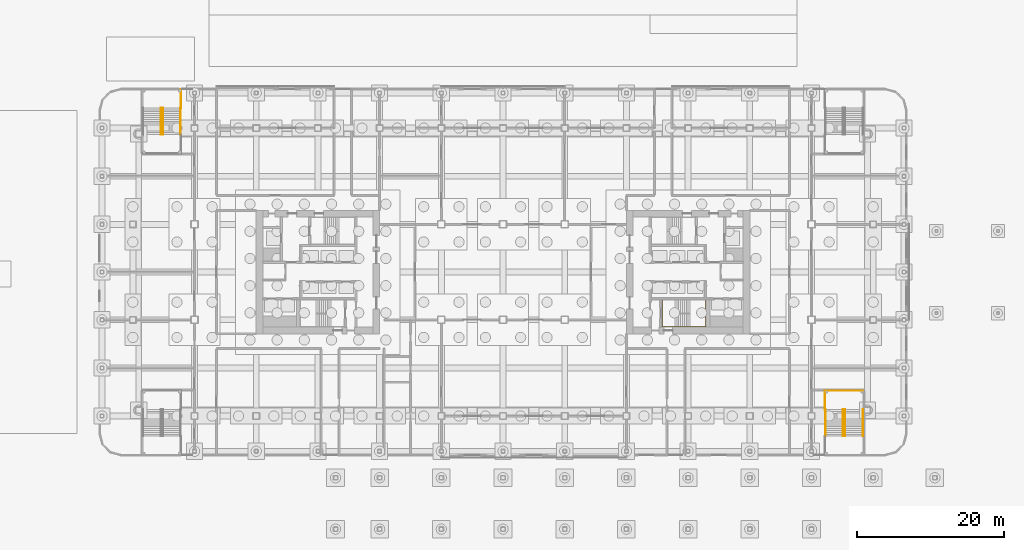
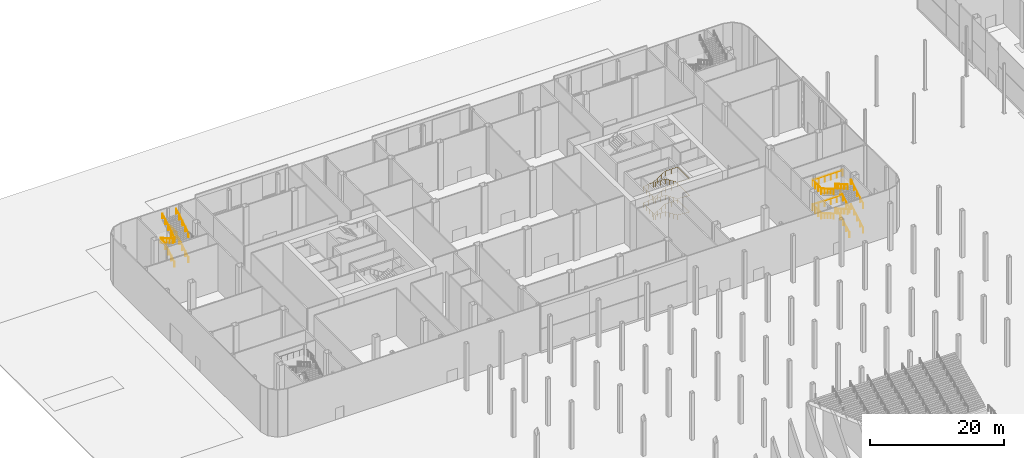
# One storey, part 110 of 113: 19 railings.
"""IFC4 building model written with IfcOpenShell, lengths in metres."""

from ifc_helpers import new_model, si_unit, direction, frame, origin, origin_2d, place, context, subcontext, project, spatial, circle, extrude, material, type_object, element, save


model = new_model("IFC4")

# Units and contexts
model_context = context("Model", 3, precision=1e-05, world=origin(), true_north=direction((0.0, 1.0)))
body_context = subcontext(model_context, "Body", "Model", "MODEL_VIEW")
ifc_project = project(units=[si_unit("LENGTHUNIT", "METRE"), si_unit("AREAUNIT", "SQUARE_METRE"), si_unit("VOLUMEUNIT", "CUBIC_METRE"), si_unit("PLANEANGLEUNIT", "RADIAN"), si_unit("MASSUNIT", "GRAM", prefix="KILO")], contexts=[model_context])

# Site, building, storey
site_placement = place(None, origin())
site = spatial("IfcSite", under=ifc_project, at=site_placement, CompositionType="ELEMENT")
building_placement = place(site_placement, origin())
building = spatial("IfcBuilding", under=site, at=building_placement, Name="Hakoniwa Tower and Hamabe Station Hall", CompositionType="ELEMENT")
storey_placement = place(building_placement, origin())
storey = spatial("IfcBuildingStorey", under=building, at=storey_placement, Name="L01", CompositionType="ELEMENT", Elevation=0.0)

# Railings
ifc_material_1 = material(Name="Stainless steel and glass", Category="steel")
railing_type_1 = type_object("IfcRailingType", Name="GUARD 1100", PredefinedType="GUARDRAIL", material=ifc_material_1)
railing_1_placement = place(storey_placement, frame((-43.85009765625, 24.85009765625, 4.5)))
element("IfcRailing", 1, at=railing_1_placement, inside=storey, type_object=railing_type_1, Name="Guard at landing PS1 3", PredefinedType="GUARDRAIL", context=body_context, shape_type="SweptSolid", body=[
    extrude(circle(Radius=0.02392578125, at=origin_2d()), frame((0.0, 0.0, 1.076171875), z_axis=(0.0, -1.0, 0.0), x_axis=(1.0, 0.0, 0.0)), (0.0, 0.0, 1.0), 2.5),
    extrude(circle(Radius=0.02099609375, at=origin_2d()), origin(), (0.0, 0.0, 1.0), 1.052001953125),
    extrude(circle(Radius=0.02099609375, at=origin_2d()), frame((0.0, -0.833251953125, 0.0)), (0.0, 0.0, 1.0), 1.052001953125),
    extrude(circle(Radius=0.02099609375, at=origin_2d()), frame((0.0, -1.666748046875, 0.0)), (0.0, 0.0, 1.0), 1.052001953125),
    extrude(circle(Radius=0.02099609375, at=origin_2d()), frame((0.0, -2.5, 0.0)), (0.0, 0.0, 1.0), 1.052001953125),
])
railing_2_placement = place(storey_placement, frame((43.85009765625, -18.7099609375, 2.25)))
element("IfcRailing", 2, at=railing_2_placement, inside=storey, type_object=railing_type_1, Name="Guard at landing PS3 1", PredefinedType="GUARDRAIL", context=body_context, shape_type="SweptSolid", body=[
    extrude(circle(Radius=0.02392578125, at=origin_2d()), frame((0.0, 0.0, 1.076171875), z_axis=(0.0, 1.0, 0.0), x_axis=(-1.0, 0.0, 0.0)), (0.0, 0.0, 1.0), 2.56005859375),
    extrude(circle(Radius=0.02099609375, at=origin_2d()), origin(), (0.0, 0.0, 1.0), 1.052001953125),
    extrude(circle(Radius=0.02099609375, at=origin_2d()), frame((0.0, 0.853271484375, 0.0)), (0.0, 0.0, 1.0), 1.052001953125),
    extrude(circle(Radius=0.02099609375, at=origin_2d()), frame((0.0, 1.706787109375, 0.0)), (0.0, 0.0, 1.0), 1.052001953125),
    extrude(circle(Radius=0.02099609375, at=origin_2d()), frame((0.0, 2.56005859375, 0.0)), (0.0, 0.0, 1.0), 1.052001953125),
])
railing_3_placement = place(storey_placement, frame((49.050048828125, -16.14990234375, 2.25)))
element("IfcRailing", 3, at=railing_3_placement, inside=storey, type_object=railing_type_1, Name="Guard at landing PS3 2", PredefinedType="GUARDRAIL", context=body_context, shape_type="SweptSolid", body=[
    extrude(circle(Radius=0.02392578125, at=origin_2d()), frame((0.0, 0.0, 1.076171875), z_axis=(-1.0, 0.0, 0.0), x_axis=(0.0, -1.0, 0.0)), (0.0, 0.0, 1.0), 5.199951171875),
    extrude(circle(Radius=0.02099609375, at=origin_2d()), origin(), (0.0, 0.0, 1.0), 1.052001953125),
    extrude(circle(Radius=0.02099609375, at=origin_2d()), frame((-1.0400390625, 0.0, 0.0)), (0.0, 0.0, 1.0), 1.052001953125),
    extrude(circle(Radius=0.02099609375, at=origin_2d()), frame((-2.080078125, 0.0, 0.0)), (0.0, 0.0, 1.0), 1.052001953125),
    extrude(circle(Radius=0.02099609375, at=origin_2d()), frame((-3.119873046875, 0.0, 0.0)), (0.0, 0.0, 1.0), 1.052001953125),
    extrude(circle(Radius=0.02099609375, at=origin_2d()), frame((-4.159912109375, 0.0, 0.0)), (0.0, 0.0, 1.0), 1.052001953125),
    extrude(circle(Radius=0.02099609375, at=origin_2d()), frame((-5.199951171875, 0.0, 0.0)), (0.0, 0.0, 1.0), 1.052001953125),
])
railing_4_placement = place(storey_placement, frame((43.85009765625, -18.7099609375, 6.75)))
element("IfcRailing", 4, at=railing_4_placement, inside=storey, type_object=railing_type_1, Name="Guard at landing PS3 4", PredefinedType="GUARDRAIL", context=body_context, shape_type="SweptSolid", body=[
    extrude(circle(Radius=0.02392578125, at=origin_2d()), frame((0.0, 0.0, 1.076171875), z_axis=(0.0, 1.0, 0.0), x_axis=(-1.0, 0.0, 0.0)), (0.0, 0.0, 1.0), 2.56005859375),
    extrude(circle(Radius=0.02099609375, at=origin_2d()), origin(), (0.0, 0.0, 1.0), 1.052001953125),
    extrude(circle(Radius=0.02099609375, at=origin_2d()), frame((0.0, 0.853271484375, 0.0)), (0.0, 0.0, 1.0), 1.052001953125),
    extrude(circle(Radius=0.02099609375, at=origin_2d()), frame((0.0, 1.706787109375, 0.0)), (0.0, 0.0, 1.0), 1.052001953125),
    extrude(circle(Radius=0.02099609375, at=origin_2d()), frame((0.0, 2.56005859375, 0.0)), (0.0, 0.0, 1.0), 1.052001953125),
])
railing_5_placement = place(storey_placement, frame((49.050048828125, -16.14990234375, 6.75)))
element("IfcRailing", 5, at=railing_5_placement, inside=storey, type_object=railing_type_1, Name="Guard at landing PS3 5", PredefinedType="GUARDRAIL", context=body_context, shape_type="SweptSolid", body=[
    extrude(circle(Radius=0.02392578125, at=origin_2d()), frame((0.0, 0.0, 1.076171875), z_axis=(-1.0, 0.0, 0.0), x_axis=(0.0, -1.0, 0.0)), (0.0, 0.0, 1.0), 5.199951171875),
    extrude(circle(Radius=0.02099609375, at=origin_2d()), origin(), (0.0, 0.0, 1.0), 1.052001953125),
    extrude(circle(Radius=0.02099609375, at=origin_2d()), frame((-1.0400390625, 0.0, 0.0)), (0.0, 0.0, 1.0), 1.052001953125),
    extrude(circle(Radius=0.02099609375, at=origin_2d()), frame((-2.080078125, 0.0, 0.0)), (0.0, 0.0, 1.0), 1.052001953125),
    extrude(circle(Radius=0.02099609375, at=origin_2d()), frame((-3.119873046875, 0.0, 0.0)), (0.0, 0.0, 1.0), 1.052001953125),
    extrude(circle(Radius=0.02099609375, at=origin_2d()), frame((-4.159912109375, 0.0, 0.0)), (0.0, 0.0, 1.0), 1.052001953125),
    extrude(circle(Radius=0.02099609375, at=origin_2d()), frame((-5.199951171875, 0.0, 0.0)), (0.0, 0.0, 1.0), 1.052001953125),
])
ifc_material_2 = material(Name="Stainless steel SUS304", Category="steel")
railing_type_2 = type_object("IfcRailingType", Name="HANDRAIL 900", PredefinedType="HANDRAIL", material=ifc_material_2)
for number, where, name in (
    (6, (-46.300048828125, 18.7099609375, 2.39990234375), "Handrail PS1 3"),
    (7, (-43.89990234375, 18.7099609375, 2.39990234375), "Handrail PS1 4"),
):
    element("IfcRailing", number, at=place(storey_placement, frame(where)), inside=storey, type_object=railing_type_2, Name=name, PredefinedType="HANDRAIL", context=body_context, shape_type="SweptSolid", body=[
        extrude(circle(Radius=0.02392578125, at=origin_2d()), frame((0.0, 0.0, 0.8759765625), z_axis=(0.0, 0.86618365172, 0.499725806311), x_axis=(-1.0, 0.0, 0.0)), (0.0, 0.0, 1.0), 4.202392578125),
        extrude(circle(Radius=0.02099609375, at=origin_2d()), origin(), (0.0, 0.0, 1.0), 0.851806640625),
        extrude(circle(Radius=0.02099609375, at=origin_2d()), frame((0.0, 0.91015625, 0.52490234375)), (0.0, 0.0, 1.0), 0.851806640625),
        extrude(circle(Radius=0.02099609375, at=origin_2d()), frame((0.0, 1.820068359375, 1.050048828125)), (0.0, 0.0, 1.0), 0.851806640625),
        extrude(circle(Radius=0.02099609375, at=origin_2d()), frame((0.0, 2.72998046875, 1.5751953125)), (0.0, 0.0, 1.0), 0.851806640625),
        extrude(circle(Radius=0.02099609375, at=origin_2d()), frame((0.0, 3.64013671875, 2.10009765625)), (0.0, 0.0, 1.0), 0.851806640625),
    ])
railing_6_placement = place(storey_placement, frame((-46.60009765625, 22.35009765625, 4.64990234375)))
element("IfcRailing", 8, at=railing_6_placement, inside=storey, type_object=railing_type_2, Name="Handrail PS1 6", PredefinedType="HANDRAIL", context=body_context, shape_type="SweptSolid", body=[
    extrude(circle(Radius=0.02392578125, at=origin_2d()), frame((0.0, 0.0, 0.8759765625), z_axis=(0.0, -0.86618365172, 0.499725806311), x_axis=(1.0, 0.0, 0.0)), (0.0, 0.0, 1.0), 4.202392578125),
    extrude(circle(Radius=0.02099609375, at=origin_2d()), origin(), (0.0, 0.0, 1.0), 0.851806640625),
    extrude(circle(Radius=0.02099609375, at=origin_2d()), frame((0.0, -0.91015625, 0.52490234375)), (0.0, 0.0, 1.0), 0.851806640625),
    extrude(circle(Radius=0.02099609375, at=origin_2d()), frame((0.0, -1.820068359375, 1.050048828125)), (0.0, 0.0, 1.0), 0.851806640625),
    extrude(circle(Radius=0.02099609375, at=origin_2d()), frame((0.0, -2.72998046875, 1.5751953125)), (0.0, 0.0, 1.0), 0.851806640625),
    extrude(circle(Radius=0.02099609375, at=origin_2d()), frame((0.0, -3.64013671875, 2.10009765625)), (0.0, 0.0, 1.0), 0.851806640625),
])
for number, where, name in (
    (9, (-46.300048828125, 18.7099609375, 6.89990234375), "Handrail PS1 7"),
    (10, (-43.89990234375, 18.7099609375, 6.89990234375), "Handrail PS1 8"),
    (11, (49.0, -22.35009765625, 0.14990234375), "Handrail PS3 1"),
    (12, (46.60009765625, -22.35009765625, 0.14990234375), "Handrail PS3 2"),
):
    element("IfcRailing", number, at=place(storey_placement, frame(where)), inside=storey, type_object=railing_type_2, Name=name, PredefinedType="HANDRAIL", context=body_context, shape_type="SweptSolid", body=[
        extrude(circle(Radius=0.02392578125, at=origin_2d()), frame((0.0, 0.0, 0.8759765625), z_axis=(0.0, 0.86618365172, 0.499725806311), x_axis=(-1.0, 0.0, 0.0)), (0.0, 0.0, 1.0), 4.202392578125),
        extrude(circle(Radius=0.02099609375, at=origin_2d()), origin(), (0.0, 0.0, 1.0), 0.851806640625),
        extrude(circle(Radius=0.02099609375, at=origin_2d()), frame((0.0, 0.91015625, 0.52490234375)), (0.0, 0.0, 1.0), 0.851806640625),
        extrude(circle(Radius=0.02099609375, at=origin_2d()), frame((0.0, 1.820068359375, 1.050048828125)), (0.0, 0.0, 1.0), 0.851806640625),
        extrude(circle(Radius=0.02099609375, at=origin_2d()), frame((0.0, 2.72998046875, 1.5751953125)), (0.0, 0.0, 1.0), 0.851806640625),
        extrude(circle(Radius=0.02099609375, at=origin_2d()), frame((0.0, 3.64013671875, 2.10009765625)), (0.0, 0.0, 1.0), 0.851806640625),
    ])
for number, where, name in (
    (13, (46.300048828125, -18.7099609375, 2.39990234375), "Handrail PS3 3"),
    (14, (43.89990234375, -18.7099609375, 2.39990234375), "Handrail PS3 4"),
):
    element("IfcRailing", number, at=place(storey_placement, frame(where)), inside=storey, type_object=railing_type_2, Name=name, PredefinedType="HANDRAIL", context=body_context, shape_type="SweptSolid", body=[
        extrude(circle(Radius=0.02392578125, at=origin_2d()), frame((0.0, 0.0, 0.8759765625), z_axis=(0.0, -0.86618365172, 0.499725806311), x_axis=(1.0, 0.0, 0.0)), (0.0, 0.0, 1.0), 4.202392578125),
        extrude(circle(Radius=0.02099609375, at=origin_2d()), origin(), (0.0, 0.0, 1.0), 0.851806640625),
        extrude(circle(Radius=0.02099609375, at=origin_2d()), frame((0.0, -0.91015625, 0.52490234375)), (0.0, 0.0, 1.0), 0.851806640625),
        extrude(circle(Radius=0.02099609375, at=origin_2d()), frame((0.0, -1.820068359375, 1.050048828125)), (0.0, 0.0, 1.0), 0.851806640625),
        extrude(circle(Radius=0.02099609375, at=origin_2d()), frame((0.0, -2.72998046875, 1.5751953125)), (0.0, 0.0, 1.0), 0.851806640625),
        extrude(circle(Radius=0.02099609375, at=origin_2d()), frame((0.0, -3.64013671875, 2.10009765625)), (0.0, 0.0, 1.0), 0.851806640625),
    ])
for number, where, name in (
    (15, (49.0, -22.35009765625, 4.64990234375), "Handrail PS3 5"),
    (16, (46.60009765625, -22.35009765625, 4.64990234375), "Handrail PS3 6"),
):
    element("IfcRailing", number, at=place(storey_placement, frame(where)), inside=storey, type_object=railing_type_2, Name=name, PredefinedType="HANDRAIL", context=body_context, shape_type="SweptSolid", body=[
        extrude(circle(Radius=0.02392578125, at=origin_2d()), frame((0.0, 0.0, 0.8759765625), z_axis=(0.0, 0.86618365172, 0.499725806311), x_axis=(-1.0, 0.0, 0.0)), (0.0, 0.0, 1.0), 4.202392578125),
        extrude(circle(Radius=0.02099609375, at=origin_2d()), origin(), (0.0, 0.0, 1.0), 0.851806640625),
        extrude(circle(Radius=0.02099609375, at=origin_2d()), frame((0.0, 0.91015625, 0.52490234375)), (0.0, 0.0, 1.0), 0.851806640625),
        extrude(circle(Radius=0.02099609375, at=origin_2d()), frame((0.0, 1.820068359375, 1.050048828125)), (0.0, 0.0, 1.0), 0.851806640625),
        extrude(circle(Radius=0.02099609375, at=origin_2d()), frame((0.0, 2.72998046875, 1.5751953125)), (0.0, 0.0, 1.0), 0.851806640625),
        extrude(circle(Radius=0.02099609375, at=origin_2d()), frame((0.0, 3.64013671875, 2.10009765625)), (0.0, 0.0, 1.0), 0.851806640625),
    ])
for number, where, name in (
    (17, (46.300048828125, -18.7099609375, 6.89990234375), "Handrail PS3 7"),
    (18, (43.89990234375, -18.7099609375, 6.89990234375), "Handrail PS3 8"),
):
    element("IfcRailing", number, at=place(storey_placement, frame(where)), inside=storey, type_object=railing_type_2, Name=name, PredefinedType="HANDRAIL", context=body_context, shape_type="SweptSolid", body=[
        extrude(circle(Radius=0.02392578125, at=origin_2d()), frame((0.0, 0.0, 0.8759765625), z_axis=(0.0, -0.86618365172, 0.499725806311), x_axis=(1.0, 0.0, 0.0)), (0.0, 0.0, 1.0), 4.202392578125),
        extrude(circle(Radius=0.02099609375, at=origin_2d()), origin(), (0.0, 0.0, 1.0), 0.851806640625),
        extrude(circle(Radius=0.02099609375, at=origin_2d()), frame((0.0, -0.91015625, 0.52490234375)), (0.0, 0.0, 1.0), 0.851806640625),
        extrude(circle(Radius=0.02099609375, at=origin_2d()), frame((0.0, -1.820068359375, 1.050048828125)), (0.0, 0.0, 1.0), 0.851806640625),
        extrude(circle(Radius=0.02099609375, at=origin_2d()), frame((0.0, -2.72998046875, 1.5751953125)), (0.0, 0.0, 1.0), 0.851806640625),
        extrude(circle(Radius=0.02099609375, at=origin_2d()), frame((0.0, -3.64013671875, 2.10009765625)), (0.0, 0.0, 1.0), 0.851806640625),
    ])
ifc_material_3 = material(Name="Stainless steel SUS304", Category="steel")
railing_type_3 = type_object("IfcRailingType", Name="STAIR HANDRAIL 900", PredefinedType="HANDRAIL", material=ifc_material_3)
railing_7_placement = place(storey_placement, frame((23.39990234375, -3.81005859375, 0.166748046875)))
element("IfcRailing", 19, at=railing_7_placement, inside=storey, type_object=railing_type_3, Name="Handrail ST-4 L01 1", PredefinedType="HANDRAIL", context=body_context, shape_type="SweptSolid", body=[
    extrude(circle(Radius=0.02392578125, at=origin_2d()), frame((0.0, 0.0, 0.8759765625), z_axis=(0.841903312325, 0.0, 0.539628402418), x_axis=(0.0, 1.0, 0.0)), (0.0, 0.0, 1.0), 2.470703125),
    extrude(circle(Radius=0.02392578125, at=origin_2d()), frame((2.080078125, 0.0, 2.208984375), z_axis=(1.0, 0.0, 0.0), x_axis=(0.0, 1.0, 0.0)), (0.0, 0.0, 1.0), 2.110107421875),
    extrude(circle(Radius=0.02392578125, at=origin_2d()), frame((4.190185546875, 0.0, 2.208984375), z_axis=(0.0, -1.0, 0.0), x_axis=(1.0, 0.0, 0.0)), (0.0, 0.0, 1.0), 3.6298828125),
    extrude(circle(Radius=0.02392578125, at=origin_2d()), frame((4.190185546875, -3.6298828125, 2.208984375), z_axis=(-0.996892192206, 0.0, 0.078777897406), x_axis=(0.0, -1.0, 0.0)), (0.0, 0.0, 1.0), 2.11669921875),
    extrude(circle(Radius=0.02392578125, at=origin_2d()), frame((2.080078125, -3.6298828125, 2.3759765625), z_axis=(-0.841903312325, 0.0, 0.539628402418), x_axis=(0.0, -1.0, 0.0)), (0.0, 0.0, 1.0), 2.470703125),
    extrude(circle(Radius=0.02392578125, at=origin_2d()), frame((0.0, -3.6298828125, 3.708984375), z_axis=(-1.0, 0.0, 0.0), x_axis=(0.0, -1.0, 0.0)), (0.0, 0.0, 1.0), 1.739990234375),
    extrude(circle(Radius=0.02392578125, at=origin_2d()), frame((-1.739990234375, -3.6298828125, 3.708984375), z_axis=(0.0, 1.0, 0.0), x_axis=(-1.0, 0.0, 0.0)), (0.0, 0.0, 1.0), 3.6298828125),
    extrude(circle(Radius=0.02392578125, at=origin_2d()), frame((-1.739990234375, 0.0, 3.708984375), z_axis=(0.995439431117, 0.0, 0.09539569685), x_axis=(0.0, 1.0, 0.0)), (0.0, 0.0, 1.0), 1.748046875),
    extrude(circle(Radius=0.02392578125, at=origin_2d()), frame((0.0, 0.0, 3.8759765625), z_axis=(0.841903312325, 0.0, 0.539628402418), x_axis=(0.0, 1.0, 0.0)), (0.0, 0.0, 1.0), 2.470703125),
    extrude(circle(Radius=0.02392578125, at=origin_2d()), frame((2.080078125, 0.0, 5.208984375), z_axis=(1.0, 0.0, 0.0), x_axis=(0.0, 1.0, 0.0)), (0.0, 0.0, 1.0), 2.110107421875),
    extrude(circle(Radius=0.02392578125, at=origin_2d()), frame((4.190185546875, 0.0, 5.208984375), z_axis=(0.0, -1.0, 0.0), x_axis=(1.0, 0.0, 0.0)), (0.0, 0.0, 1.0), 3.6298828125),
    extrude(circle(Radius=0.02392578125, at=origin_2d()), frame((4.190185546875, -3.6298828125, 5.208984375), z_axis=(-0.996892192206, 0.0, 0.078777897406), x_axis=(0.0, -1.0, 0.0)), (0.0, 0.0, 1.0), 2.11669921875),
    extrude(circle(Radius=0.02392578125, at=origin_2d()), frame((2.080078125, -3.6298828125, 5.3759765625), z_axis=(-0.841903312325, 0.0, 0.539628402418), x_axis=(0.0, -1.0, 0.0)), (0.0, 0.0, 1.0), 2.470703125),
    extrude(circle(Radius=0.02392578125, at=origin_2d()), frame((0.0, -3.6298828125, 6.708984375), z_axis=(-1.0, 0.0, 0.0), x_axis=(0.0, -1.0, 0.0)), (0.0, 0.0, 1.0), 1.739990234375),
    extrude(circle(Radius=0.02392578125, at=origin_2d()), frame((-1.739990234375, -3.6298828125, 6.708984375), z_axis=(0.0, 1.0, 0.0), x_axis=(-1.0, 0.0, 0.0)), (0.0, 0.0, 1.0), 3.6298828125),
    extrude(circle(Radius=0.02392578125, at=origin_2d()), frame((-1.739990234375, 0.0, 6.708984375), z_axis=(0.995439431117, 0.0, 0.09539569685), x_axis=(0.0, 1.0, 0.0)), (0.0, 0.0, 1.0), 1.748046875),
    extrude(circle(Radius=0.02392578125, at=origin_2d()), frame((0.0, 0.0, 6.8759765625), z_axis=(0.841903312325, 0.0, 0.539628402418), x_axis=(0.0, 1.0, 0.0)), (0.0, 0.0, 1.0), 2.470703125),
    extrude(circle(Radius=0.02392578125, at=origin_2d()), frame((2.080078125, 0.0, 8.208984375), z_axis=(1.0, 0.0, 0.0), x_axis=(0.0, 1.0, 0.0)), (0.0, 0.0, 1.0), 2.110107421875),
    extrude(circle(Radius=0.02392578125, at=origin_2d()), frame((4.190185546875, 0.0, 8.208984375), z_axis=(0.0, -1.0, 0.0), x_axis=(1.0, 0.0, 0.0)), (0.0, 0.0, 1.0), 3.6298828125),
    extrude(circle(Radius=0.02392578125, at=origin_2d()), frame((4.190185546875, -3.6298828125, 8.208984375), z_axis=(-0.996892192206, 0.0, 0.078777897406), x_axis=(0.0, -1.0, 0.0)), (0.0, 0.0, 1.0), 2.11669921875),
    extrude(circle(Radius=0.02392578125, at=origin_2d()), frame((2.080078125, -3.6298828125, 8.3759765625), z_axis=(-0.841903312325, 0.0, 0.539628402418), x_axis=(0.0, -1.0, 0.0)), (0.0, 0.0, 1.0), 2.470703125),
    extrude(circle(Radius=0.02392578125, at=origin_2d()), frame((0.0, -3.6298828125, 9.708984375), z_axis=(-1.0, 0.0, 0.0), x_axis=(0.0, -1.0, 0.0)), (0.0, 0.0, 1.0), 1.739990234375),
    extrude(circle(Radius=0.02099609375, at=origin_2d()), origin(), (0.0, 0.0, 1.0), 0.851806640625),
    extrude(circle(Radius=0.02099609375, at=origin_2d()), frame((0.693359375, 0.0, 0.4443359375)), (0.0, 0.0, 1.0), 0.851806640625),
    extrude(circle(Radius=0.02099609375, at=origin_2d()), frame((1.38671875, 0.0, 0.888916015625)), (0.0, 0.0, 1.0), 0.851806640625),
    extrude(circle(Radius=0.02099609375, at=origin_2d()), frame((2.080078125, 0.0, 1.333251953125)), (0.0, 0.0, 1.0), 0.851806640625),
    extrude(circle(Radius=0.02099609375, at=origin_2d()), frame((3.13525390625, 0.0, 1.333251953125)), (0.0, 0.0, 1.0), 0.851806640625),
    extrude(circle(Radius=0.02099609375, at=origin_2d()), frame((4.190185546875, 0.0, 1.333251953125)), (0.0, 0.0, 1.0), 0.851806640625),
    extrude(circle(Radius=0.02099609375, at=origin_2d()), frame((4.190185546875, -0.907470703125, 1.333251953125)), (0.0, 0.0, 1.0), 0.851806640625),
    extrude(circle(Radius=0.02099609375, at=origin_2d()), frame((4.190185546875, -1.81494140625, 1.333251953125)), (0.0, 0.0, 1.0), 0.851806640625),
    extrude(circle(Radius=0.02099609375, at=origin_2d()), frame((4.190185546875, -2.722412109375, 1.333251953125)), (0.0, 0.0, 1.0), 0.851806640625),
    extrude(circle(Radius=0.02099609375, at=origin_2d()), frame((4.190185546875, -3.6298828125, 1.333251953125)), (0.0, 0.0, 1.0), 0.851806640625),
    extrude(circle(Radius=0.02099609375, at=origin_2d()), frame((3.13525390625, -3.6298828125, 1.41650390625)), (0.0, 0.0, 1.0), 0.851806640625),
    extrude(circle(Radius=0.02099609375, at=origin_2d()), frame((2.080078125, -3.6298828125, 1.5)), (0.0, 0.0, 1.0), 0.851806640625),
    extrude(circle(Radius=0.02099609375, at=origin_2d()), frame((1.38671875, -3.6298828125, 1.9443359375)), (0.0, 0.0, 1.0), 0.851806640625),
    extrude(circle(Radius=0.02099609375, at=origin_2d()), frame((0.693359375, -3.6298828125, 2.388916015625)), (0.0, 0.0, 1.0), 0.851806640625),
    extrude(circle(Radius=0.02099609375, at=origin_2d()), frame((0.0, -3.6298828125, 2.833251953125)), (0.0, 0.0, 1.0), 0.851806640625),
    extrude(circle(Radius=0.02099609375, at=origin_2d()), frame((-0.8701171875, -3.6298828125, 2.833251953125)), (0.0, 0.0, 1.0), 0.851806640625),
    extrude(circle(Radius=0.02099609375, at=origin_2d()), frame((-1.739990234375, -3.6298828125, 2.833251953125)), (0.0, 0.0, 1.0), 0.851806640625),
    extrude(circle(Radius=0.02099609375, at=origin_2d()), frame((-1.739990234375, -2.722412109375, 2.833251953125)), (0.0, 0.0, 1.0), 0.851806640625),
    extrude(circle(Radius=0.02099609375, at=origin_2d()), frame((-1.739990234375, -1.81494140625, 2.833251953125)), (0.0, 0.0, 1.0), 0.851806640625),
    extrude(circle(Radius=0.02099609375, at=origin_2d()), frame((-1.739990234375, -0.907470703125, 2.833251953125)), (0.0, 0.0, 1.0), 0.851806640625),
    extrude(circle(Radius=0.02099609375, at=origin_2d()), frame((-1.739990234375, 0.0, 2.833251953125)), (0.0, 0.0, 1.0), 0.851806640625),
    extrude(circle(Radius=0.02099609375, at=origin_2d()), frame((-0.8701171875, 0.0, 2.91650390625)), (0.0, 0.0, 1.0), 0.851806640625),
    extrude(circle(Radius=0.02099609375, at=origin_2d()), frame((0.0, 0.0, 3.0)), (0.0, 0.0, 1.0), 0.851806640625),
    extrude(circle(Radius=0.02099609375, at=origin_2d()), frame((0.693359375, 0.0, 3.4443359375)), (0.0, 0.0, 1.0), 0.851806640625),
    extrude(circle(Radius=0.02099609375, at=origin_2d()), frame((1.38671875, 0.0, 3.888916015625)), (0.0, 0.0, 1.0), 0.851806640625),
    extrude(circle(Radius=0.02099609375, at=origin_2d()), frame((2.080078125, 0.0, 4.333251953125)), (0.0, 0.0, 1.0), 0.851806640625),
    extrude(circle(Radius=0.02099609375, at=origin_2d()), frame((3.13525390625, 0.0, 4.333251953125)), (0.0, 0.0, 1.0), 0.851806640625),
    extrude(circle(Radius=0.02099609375, at=origin_2d()), frame((4.190185546875, 0.0, 4.333251953125)), (0.0, 0.0, 1.0), 0.851806640625),
    extrude(circle(Radius=0.02099609375, at=origin_2d()), frame((4.190185546875, -0.907470703125, 4.333251953125)), (0.0, 0.0, 1.0), 0.851806640625),
    extrude(circle(Radius=0.02099609375, at=origin_2d()), frame((4.190185546875, -1.81494140625, 4.333251953125)), (0.0, 0.0, 1.0), 0.851806640625),
    extrude(circle(Radius=0.02099609375, at=origin_2d()), frame((4.190185546875, -2.722412109375, 4.333251953125)), (0.0, 0.0, 1.0), 0.851806640625),
    extrude(circle(Radius=0.02099609375, at=origin_2d()), frame((4.190185546875, -3.6298828125, 4.333251953125)), (0.0, 0.0, 1.0), 0.851806640625),
    extrude(circle(Radius=0.02099609375, at=origin_2d()), frame((3.13525390625, -3.6298828125, 4.41650390625)), (0.0, 0.0, 1.0), 0.851806640625),
    extrude(circle(Radius=0.02099609375, at=origin_2d()), frame((2.080078125, -3.6298828125, 4.5)), (0.0, 0.0, 1.0), 0.851806640625),
    extrude(circle(Radius=0.02099609375, at=origin_2d()), frame((1.38671875, -3.6298828125, 4.9443359375)), (0.0, 0.0, 1.0), 0.851806640625),
    extrude(circle(Radius=0.02099609375, at=origin_2d()), frame((0.693359375, -3.6298828125, 5.388916015625)), (0.0, 0.0, 1.0), 0.851806640625),
    extrude(circle(Radius=0.02099609375, at=origin_2d()), frame((0.0, -3.6298828125, 5.833251953125)), (0.0, 0.0, 1.0), 0.851806640625),
    extrude(circle(Radius=0.02099609375, at=origin_2d()), frame((-0.8701171875, -3.6298828125, 5.833251953125)), (0.0, 0.0, 1.0), 0.851806640625),
    extrude(circle(Radius=0.02099609375, at=origin_2d()), frame((-1.739990234375, -3.6298828125, 5.833251953125)), (0.0, 0.0, 1.0), 0.851806640625),
    extrude(circle(Radius=0.02099609375, at=origin_2d()), frame((-1.739990234375, -2.722412109375, 5.833251953125)), (0.0, 0.0, 1.0), 0.851806640625),
    extrude(circle(Radius=0.02099609375, at=origin_2d()), frame((-1.739990234375, -1.81494140625, 5.833251953125)), (0.0, 0.0, 1.0), 0.851806640625),
    extrude(circle(Radius=0.02099609375, at=origin_2d()), frame((-1.739990234375, -0.907470703125, 5.833251953125)), (0.0, 0.0, 1.0), 0.851806640625),
    extrude(circle(Radius=0.02099609375, at=origin_2d()), frame((-1.739990234375, 0.0, 5.833251953125)), (0.0, 0.0, 1.0), 0.851806640625),
    extrude(circle(Radius=0.02099609375, at=origin_2d()), frame((-0.8701171875, 0.0, 5.91650390625)), (0.0, 0.0, 1.0), 0.851806640625),
    extrude(circle(Radius=0.02099609375, at=origin_2d()), frame((0.0, 0.0, 6.0)), (0.0, 0.0, 1.0), 0.851806640625),
    extrude(circle(Radius=0.02099609375, at=origin_2d()), frame((0.693359375, 0.0, 6.4443359375)), (0.0, 0.0, 1.0), 0.851806640625),
    extrude(circle(Radius=0.02099609375, at=origin_2d()), frame((1.38671875, 0.0, 6.888916015625)), (0.0, 0.0, 1.0), 0.851806640625),
    extrude(circle(Radius=0.02099609375, at=origin_2d()), frame((2.080078125, 0.0, 7.333251953125)), (0.0, 0.0, 1.0), 0.851806640625),
    extrude(circle(Radius=0.02099609375, at=origin_2d()), frame((3.13525390625, 0.0, 7.333251953125)), (0.0, 0.0, 1.0), 0.851806640625),
    extrude(circle(Radius=0.02099609375, at=origin_2d()), frame((4.190185546875, 0.0, 7.333251953125)), (0.0, 0.0, 1.0), 0.851806640625),
    extrude(circle(Radius=0.02099609375, at=origin_2d()), frame((4.190185546875, -0.907470703125, 7.333251953125)), (0.0, 0.0, 1.0), 0.851806640625),
    extrude(circle(Radius=0.02099609375, at=origin_2d()), frame((4.190185546875, -1.81494140625, 7.333251953125)), (0.0, 0.0, 1.0), 0.851806640625),
    extrude(circle(Radius=0.02099609375, at=origin_2d()), frame((4.190185546875, -2.722412109375, 7.333251953125)), (0.0, 0.0, 1.0), 0.851806640625),
    extrude(circle(Radius=0.02099609375, at=origin_2d()), frame((4.190185546875, -3.6298828125, 7.333251953125)), (0.0, 0.0, 1.0), 0.851806640625),
    extrude(circle(Radius=0.02099609375, at=origin_2d()), frame((3.13525390625, -3.6298828125, 7.41650390625)), (0.0, 0.0, 1.0), 0.851806640625),
    extrude(circle(Radius=0.02099609375, at=origin_2d()), frame((2.080078125, -3.6298828125, 7.5)), (0.0, 0.0, 1.0), 0.851806640625),
    extrude(circle(Radius=0.02099609375, at=origin_2d()), frame((1.38671875, -3.6298828125, 7.9443359375)), (0.0, 0.0, 1.0), 0.851806640625),
    extrude(circle(Radius=0.02099609375, at=origin_2d()), frame((0.693359375, -3.6298828125, 8.388916015625)), (0.0, 0.0, 1.0), 0.851806640625),
    extrude(circle(Radius=0.02099609375, at=origin_2d()), frame((0.0, -3.6298828125, 8.833251953125)), (0.0, 0.0, 1.0), 0.851806640625),
    extrude(circle(Radius=0.02099609375, at=origin_2d()), frame((-0.8701171875, -3.6298828125, 8.833251953125)), (0.0, 0.0, 1.0), 0.851806640625),
    extrude(circle(Radius=0.02099609375, at=origin_2d()), frame((-1.739990234375, -3.6298828125, 8.833251953125)), (0.0, 0.0, 1.0), 0.851806640625),
])

save(model, "model.ifc")
